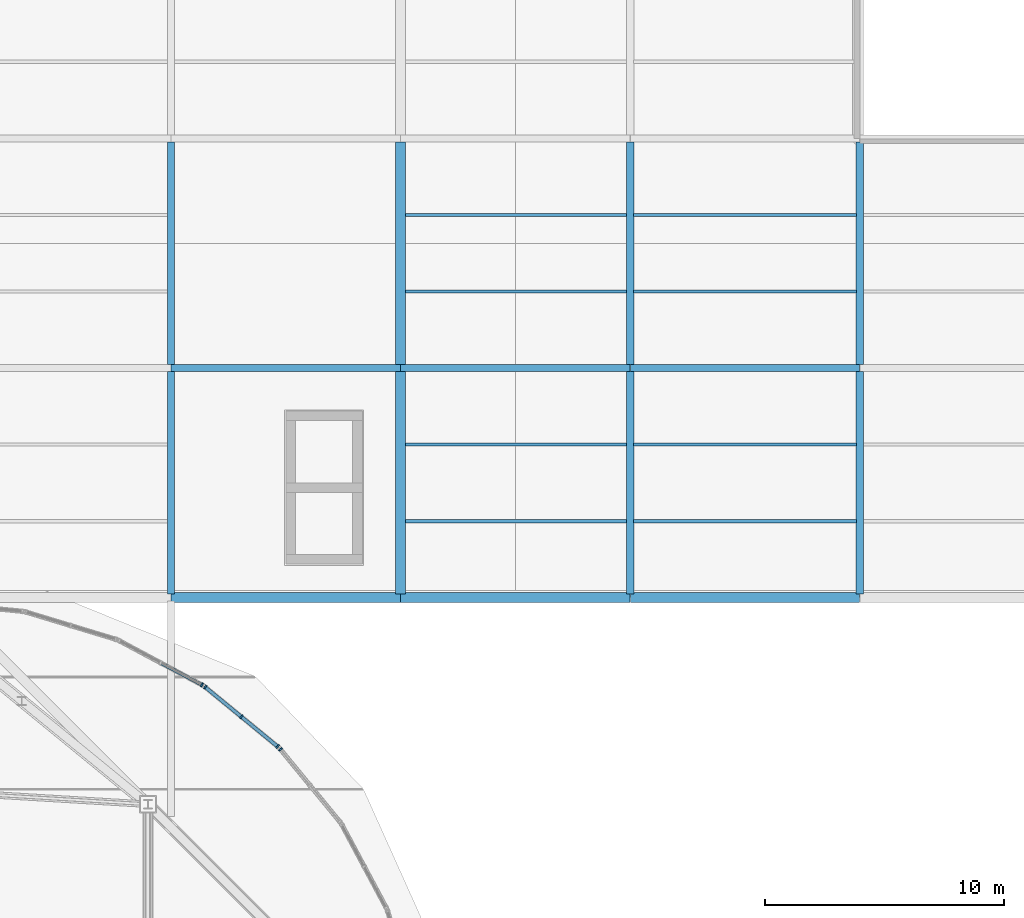
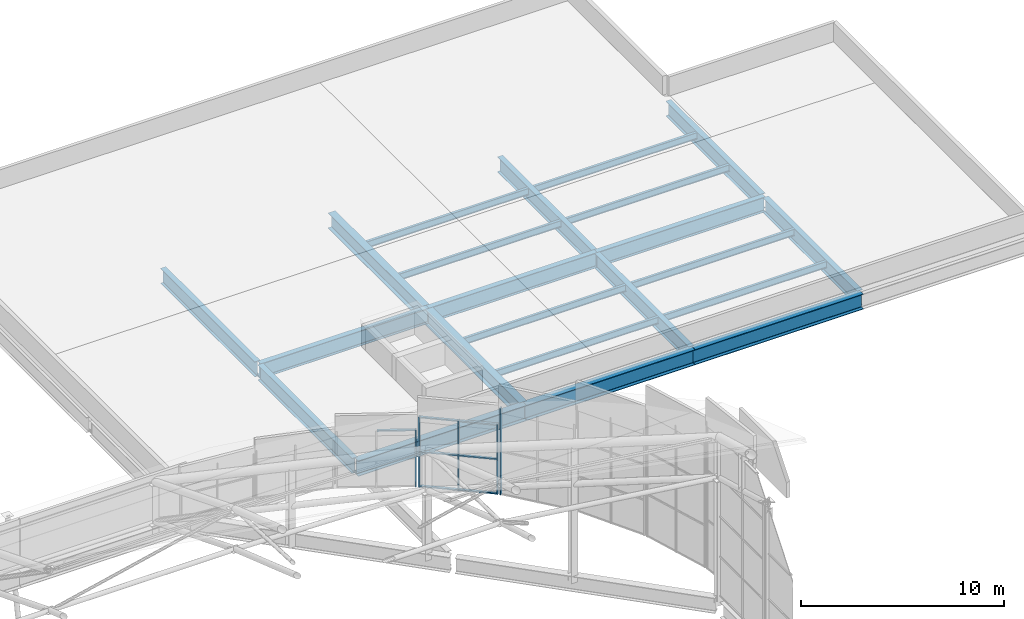
# One storey, part 30 of 42: 22 beams, 12 members, 3 elements without a shape of their own.
"""IFC4 building model written with IfcOpenShell, lengths in metres."""

from ifc_helpers import new_model, si_unit, direction, frame, origin, origin_2d, place, context, subcontext, project, spatial, rectangle, i_section, extrude, material, layer, layer_set, material_profile, profile_set, type_object, element, aggregate, save


model = new_model("IFC4")

# Units and contexts
model_context = context("Model", 3, precision=1e-05, world=origin(), true_north=direction((0.0, 1.0)))
body_context = subcontext(model_context, "Body", "Model", "MODEL_VIEW")
ifc_project = project(units=[si_unit("LENGTHUNIT", "METRE"), si_unit("AREAUNIT", "SQUARE_METRE"), si_unit("VOLUMEUNIT", "CUBIC_METRE"), si_unit("PLANEANGLEUNIT", "RADIAN"), si_unit("MASSUNIT", "GRAM", prefix="KILO")], contexts=[model_context])

# Site, building, storey
site_placement = place(None, origin())
site = spatial("IfcSite", under=ifc_project, at=site_placement, CompositionType="ELEMENT")
building_placement = place(site_placement, origin())
building = spatial("IfcBuilding", under=site, at=building_placement, Name="Caelomonte Colonnade Arena", CompositionType="ELEMENT")
storey_placement = place(building_placement, frame((0.0, 0.0, 28.199951171875)))
storey = spatial("IfcBuildingStorey", under=building, at=storey_placement, Name="RF", CompositionType="ELEMENT", Elevation=28.199951171875)

# Curtain wall, member
ifc_material_1 = material(Name="Bronze anodised aluminium and low-E glazing", Category="aluminium")
ifc_layer_1 = layer(ifc_material_1, 0.179931640625)
ifc_layer_set_1 = layer_set([ifc_layer_1], Name="Bronze anodised aluminium and low-E glazing")
curtain_wall_type_1 = type_object("IfcCurtainWallType", Name="ENV-CW-CW-TYMPC-04-52", PredefinedType="USERDEFINED", material=ifc_layer_set_1)
curtain_wall_1_placement = place(storey_placement, origin())
curtain_wall_1 = element("IfcCurtainWall", 1, at=curtain_wall_1_placement, inside=storey, type_object=curtain_wall_type_1, Name="Barrel arch rounded corner clerestory curtain wall 12", ObjectType="UNITIZED CURTAIN WALL", PredefinedType="USERDEFINED")
ifc_material_2 = material(Name="Bronze anodised aluminium AA6063-T6", Category="aluminium")
ifc_material_profile_1 = material_profile(ifc_material_2, rectangle(XDim=0.070068359375, YDim=0.179931640625, at=origin_2d()), Name="CWM-70X180")
ifc_profile_set_1 = profile_set([ifc_material_profile_1], Name="Bronze anodised aluminium AA6063-T6")
member_type_1 = type_object("IfcMemberType", Name="ENV-CW-MULL1", PredefinedType="MULLION", material=ifc_profile_set_1)
member_1_placement = place(storey_placement, frame((158.176025390625, 108.856201171875, -0.14990234375), z_axis=(0.0, 0.0, 1.0), x_axis=(-0.634405129694, 0.773000731835, 0.0)))
member_1 = element("IfcMember", 2, at=member_1_placement, type_object=member_type_1, Name="CW-TYMPC-04-52 mullion 3", PredefinedType="MULLION", context=body_context, shape_type="SweptSolid", body=[
    extrude(rectangle(XDim=0.070068359375, YDim=0.179931640625, at=origin_2d()), origin(), (0.0, 0.0, 1.0), 5.236083984375),
])
aggregate(curtain_wall_1, [member_1])

# Curtain wall, members
ifc_layer_2 = layer(ifc_material_1, 0.179931640625)
ifc_layer_set_2 = layer_set([ifc_layer_2], Name="Bronze anodised aluminium and low-E glazing")
curtain_wall_type_2 = type_object("IfcCurtainWallType", Name="ENV-CW-CW-TYMPC-04-42", PredefinedType="USERDEFINED", material=ifc_layer_set_2)
curtain_wall_2_placement = place(storey_placement, origin())
curtain_wall_2 = element("IfcCurtainWall", 3, at=curtain_wall_2_placement, inside=storey, type_object=curtain_wall_type_2, Name="Barrel arch rounded corner clerestory curtain wall 13", ObjectType="UNITIZED CURTAIN WALL", PredefinedType="USERDEFINED")
member_2_placement = place(storey_placement, frame((158.05615234375, 108.975830078125, -0.14990234375), z_axis=(0.0, 0.0, 1.0), x_axis=(-0.773000731835, 0.634405129694, 0.0)))
member_2 = element("IfcMember", 4, at=member_2_placement, type_object=member_type_1, Name="CW-TYMPC-04-42 mullion 1", PredefinedType="MULLION", context=body_context, shape_type="SweptSolid", body=[
    extrude(rectangle(XDim=0.070068359375, YDim=0.179931640625, at=origin_2d()), origin(), (0.0, 0.0, 1.0), 4.222412109375),
])
member_3_placement = place(storey_placement, frame((156.54443359375, 110.216552734375, -0.14990234375), z_axis=(0.0, 0.0, 1.0), x_axis=(-0.773000731835, 0.634405129694, 0.0)))
member_3 = element("IfcMember", 5, at=member_3_placement, type_object=member_type_1, Name="CW-TYMPC-04-42 mullion 2", PredefinedType="MULLION", context=body_context, shape_type="SweptSolid", body=[
    extrude(rectangle(XDim=0.070068359375, YDim=0.179931640625, at=origin_2d()), origin(), (0.0, 0.0, 1.0), 4.222412109375),
])
member_4_placement = place(storey_placement, frame((155.03271484375, 111.457275390625, -0.14990234375), z_axis=(0.0, 0.0, 1.0), x_axis=(-0.773000731835, 0.634405129694, 0.0)))
member_4 = element("IfcMember", 6, at=member_4_placement, type_object=member_type_1, Name="CW-TYMPC-04-42 mullion 3", PredefinedType="MULLION", context=body_context, shape_type="SweptSolid", body=[
    extrude(rectangle(XDim=0.070068359375, YDim=0.179931640625, at=origin_2d()), origin(), (0.0, 0.0, 1.0), 4.222412109375),
])

# Curtain wall, member
ifc_layer_3 = layer(ifc_material_1, 0.179931640625)
ifc_layer_set_3 = layer_set([ifc_layer_3], Name="Bronze anodised aluminium and low-E glazing")
curtain_wall_type_3 = type_object("IfcCurtainWallType", Name="ENV-CW-CW-TYMPC-03-34", PredefinedType="USERDEFINED", material=ifc_layer_set_3)
curtain_wall_3_placement = place(storey_placement, origin())
curtain_wall_3 = element("IfcCurtainWall", 7, at=curtain_wall_3_placement, inside=storey, type_object=curtain_wall_type_3, Name="Barrel arch rounded corner clerestory curtain wall 14", ObjectType="UNITIZED CURTAIN WALL", PredefinedType="USERDEFINED")
member_5_placement = place(storey_placement, frame((154.89208984375, 111.55126953125, -0.14990234375), z_axis=(0.0, 0.0, 1.0), x_axis=(-0.881924283795, 0.471391087795, 0.0)))
member_5 = element("IfcMember", 8, at=member_5_placement, type_object=member_type_1, Name="CW-TYMPC-03-34 mullion 1", PredefinedType="MULLION", context=body_context, shape_type="SweptSolid", body=[
    extrude(rectangle(XDim=0.070068359375, YDim=0.179931640625, at=origin_2d()), origin(), (0.0, 0.0, 1.0), 3.43994140625),
])

# Member
ifc_material_profile_2 = material_profile(ifc_material_2, rectangle(XDim=0.070068359375, YDim=0.139892578125, at=origin_2d()), Name="CWT-70X140")
ifc_profile_set_2 = profile_set([ifc_material_profile_2], Name="Bronze anodised aluminium AA6063-T6")
member_type_2 = type_object("IfcMemberType", Name="ENV-CW-TRAN1", PredefinedType="USERDEFINED", material=ifc_profile_set_2)
member_6_placement = place(storey_placement, frame((158.029296875, 108.998046875, -0.114990234375), z_axis=(-0.773027789123, 0.63437215989, 0.0), x_axis=(0.0, 0.0, 1.0)))
member_6 = element("IfcMember", 9, at=member_6_placement, type_object=member_type_2, Name="CW-TYMPC-04-42 transom 1.1", ObjectType="TRANSOM", PredefinedType="USERDEFINED", context=body_context, shape_type="SweptSolid", body=[
    extrude(rectangle(XDim=0.070068359375, YDim=0.139892578125, at=origin_2d()), origin(), (0.0, 0.0, 1.0), 1.8857421875),
])

member_7_placement = place(storey_placement, frame((158.029296875, 108.998046875, 1.96142578125), z_axis=(-0.773027789123, 0.63437215989, 0.0), x_axis=(0.0, 0.0, 1.0)))
member_7 = element("IfcMember", 10, at=member_7_placement, type_object=member_type_2, Name="CW-TYMPC-04-42 transom 1.2", ObjectType="TRANSOM", PredefinedType="USERDEFINED", context=body_context, shape_type="SweptSolid", body=[
    extrude(rectangle(XDim=0.070068359375, YDim=0.139892578125, at=origin_2d()), origin(), (0.0, 0.0, 1.0), 1.8857421875),
])

member_8_placement = place(storey_placement, frame((158.029296875, 108.998046875, 4.03759765625), z_axis=(-0.773027789123, 0.63437215989, 0.0), x_axis=(0.0, 0.0, 1.0)))
member_8 = element("IfcMember", 11, at=member_8_placement, type_object=member_type_2, Name="CW-TYMPC-04-42 transom 1.3", ObjectType="TRANSOM", PredefinedType="USERDEFINED", context=body_context, shape_type="SweptSolid", body=[
    extrude(rectangle(XDim=0.070068359375, YDim=0.139892578125, at=origin_2d()), origin(), (0.0, 0.0, 1.0), 1.8857421875),
])

member_9_placement = place(storey_placement, frame((156.517333984375, 110.23876953125, -0.114990234375), z_axis=(-0.772975681476, 0.634435651463, 0.0), x_axis=(0.0, 0.0, 1.0)))
member_9 = element("IfcMember", 12, at=member_9_placement, type_object=member_type_2, Name="CW-TYMPC-04-42 transom 2.1", ObjectType="TRANSOM", PredefinedType="USERDEFINED", context=body_context, shape_type="SweptSolid", body=[
    extrude(rectangle(XDim=0.070068359375, YDim=0.139892578125, at=origin_2d()), origin(), (0.0, 0.0, 1.0), 1.885498046875),
])

member_10_placement = place(storey_placement, frame((156.517333984375, 110.23876953125, 1.96142578125), z_axis=(-0.772975681476, 0.634435651463, 0.0), x_axis=(0.0, 0.0, 1.0)))
member_10 = element("IfcMember", 13, at=member_10_placement, type_object=member_type_2, Name="CW-TYMPC-04-42 transom 2.2", ObjectType="TRANSOM", PredefinedType="USERDEFINED", context=body_context, shape_type="SweptSolid", body=[
    extrude(rectangle(XDim=0.070068359375, YDim=0.139892578125, at=origin_2d()), origin(), (0.0, 0.0, 1.0), 1.885498046875),
])

member_11_placement = place(storey_placement, frame((156.517333984375, 110.23876953125, 4.03759765625), z_axis=(-0.772975681476, 0.634435651463, 0.0), x_axis=(0.0, 0.0, 1.0)))
member_11 = element("IfcMember", 14, at=member_11_placement, type_object=member_type_2, Name="CW-TYMPC-04-42 transom 2.3", ObjectType="TRANSOM", PredefinedType="USERDEFINED", context=body_context, shape_type="SweptSolid", body=[
    extrude(rectangle(XDim=0.070068359375, YDim=0.139892578125, at=origin_2d()), origin(), (0.0, 0.0, 1.0), 1.885498046875),
])

aggregate(curtain_wall_2, [member_2, member_3, member_4, member_6, member_7, member_8, member_9, member_10, member_11])

member_12_placement = place(storey_placement, frame((154.861083984375, 111.56787109375, 3.2548828125), z_axis=(-0.881926100802, 0.471387688347, 0.0), x_axis=(0.0, 0.0, 1.0)))
member_12 = element("IfcMember", 15, at=member_12_placement, type_object=member_type_2, Name="CW-TYMPC-03-34 transom 1.3", ObjectType="TRANSOM", PredefinedType="USERDEFINED", context=body_context, shape_type="SweptSolid", body=[
    extrude(rectangle(XDim=0.070068359375, YDim=0.139892578125, at=origin_2d()), origin(), (0.0, 0.0, 1.0), 1.8857421875),
])

aggregate(curtain_wall_3, [member_5, member_12])

# Beams
ifc_material_3 = material(Name="Wide-flange steel ASTM A992 Grade 50", Category="steel")
ifc_material_profile_3 = material_profile(ifc_material_3, i_section(OverallWidth=0.418212890625, OverallDepth=0.927001953125, WebThickness=0.019287109375, FlangeThickness=0.031982421875, FilletRadius=0.024169921875, at=origin_2d()), Name="W36X231")
ifc_profile_set_3 = profile_set([ifc_material_profile_3], Name="Wide-flange steel ASTM A992 Grade 50")
beam_type_1 = type_object("IfcBeamType", Name="STR-BM-EAVES1", PredefinedType="SPANDREL", material=ifc_profile_set_3)
beam_1_placement = place(storey_placement, frame((153.60498046875, 115.199951171875, -0.743408203125), z_axis=(1.0, 0.0, 0.0), x_axis=(0.0, 1.0, 0.0)))
element("IfcBeam", 16, at=beam_1_placement, inside=storey, type_object=beam_type_1, Name="RF girder BMX-RF-1536-1152", PredefinedType="SPANDREL", context=body_context, shape_type="SweptSolid", body=[
    extrude(i_section(OverallWidth=0.418212890625, OverallDepth=0.927001953125, WebThickness=0.019287109375, FlangeThickness=0.031982421875, FilletRadius=0.024169921875, at=origin_2d()), origin(), (0.0, 0.0, 1.0), 9.590087890625),
])
beam_2_placement = place(storey_placement, frame((163.204833984375, 115.199951171875, -0.743408203125), z_axis=(1.0, 0.0, 0.0), x_axis=(0.0, 1.0, 0.0)))
element("IfcBeam", 17, at=beam_2_placement, inside=storey, type_object=beam_type_1, Name="RF girder BMX-RF-1632-1152", PredefinedType="SPANDREL", context=body_context, shape_type="SweptSolid", body=[
    extrude(i_section(OverallWidth=0.418212890625, OverallDepth=0.927001953125, WebThickness=0.019287109375, FlangeThickness=0.031982421875, FilletRadius=0.024169921875, at=origin_2d()), origin(), (0.0, 0.0, 1.0), 9.59033203125),
])
beam_3_placement = place(storey_placement, frame((172.804931640625, 115.199951171875, -0.743408203125), z_axis=(1.0, 0.0, 0.0), x_axis=(0.0, 1.0, 0.0)))
element("IfcBeam", 18, at=beam_3_placement, inside=storey, type_object=beam_type_1, Name="RF girder BMX-RF-1728-1152", PredefinedType="SPANDREL", context=body_context, shape_type="SweptSolid", body=[
    extrude(i_section(OverallWidth=0.418212890625, OverallDepth=0.927001953125, WebThickness=0.019287109375, FlangeThickness=0.031982421875, FilletRadius=0.024169921875, at=origin_2d()), origin(), (0.0, 0.0, 1.0), 9.590087890625),
])
beam_4_placement = place(storey_placement, frame((163.199951171875, 115.345947265625, -0.743408203125), z_axis=(0.0, 1.0, 0.0), x_axis=(-1.0, 0.0, 0.0)))
element("IfcBeam", 19, at=beam_4_placement, inside=storey, type_object=beam_type_1, Name="RF girder BMY-RF-1632-1152", PredefinedType="SPANDREL", context=body_context, shape_type="SweptSolid", body=[
    extrude(i_section(OverallWidth=0.418212890625, OverallDepth=0.927001953125, WebThickness=0.019287109375, FlangeThickness=0.031982421875, FilletRadius=0.024169921875, at=origin_2d()), origin(), (0.0, 0.0, 1.0), 9.30810546875),
])
beam_5_placement = place(storey_placement, frame((163.199951171875, 124.94580078125, -0.743408203125), z_axis=(0.0, 1.0, 0.0), x_axis=(-1.0, 0.0, 0.0)))
element("IfcBeam", 20, at=beam_5_placement, inside=storey, type_object=beam_type_1, Name="RF girder BMY-RF-1632-1248", PredefinedType="SPANDREL", context=body_context, shape_type="SweptSolid", body=[
    extrude(i_section(OverallWidth=0.418212890625, OverallDepth=0.927001953125, WebThickness=0.019287109375, FlangeThickness=0.031982421875, FilletRadius=0.024169921875, at=origin_2d()), origin(), (0.0, 0.0, 1.0), 9.308349609375),
])
ifc_material_profile_4 = material_profile(ifc_material_3, i_section(OverallWidth=0.3046875, OverallDepth=0.914306640625, WebThickness=0.0166015625, FlangeThickness=0.02587890625, FilletRadius=0.020263671875, at=origin_2d()), Name="W36X160")
ifc_profile_set_4 = profile_set([ifc_material_profile_4], Name="Wide-flange steel ASTM A992 Grade 50")
beam_type_2 = type_object("IfcBeamType", Name="STR-BM-EAVES3", PredefinedType="SPANDREL", material=ifc_profile_set_4)
beam_6_placement = place(storey_placement, frame((153.60498046875, 124.800048828125, -0.737060546875), z_axis=(1.0, 0.0, 0.0), x_axis=(0.0, 1.0, 0.0)))
element("IfcBeam", 21, at=beam_6_placement, inside=storey, type_object=beam_type_2, Name="RF girder BMX-RF-1536-1248", PredefinedType="SPANDREL", context=body_context, shape_type="SweptSolid", body=[
    extrude(i_section(OverallWidth=0.3046875, OverallDepth=0.914306640625, WebThickness=0.0166015625, FlangeThickness=0.02587890625, FilletRadius=0.020263671875, at=origin_2d()), origin(), (0.0, 0.0, 1.0), 9.590087890625),
])
beam_7_placement = place(storey_placement, frame((163.204833984375, 124.800048828125, -0.737060546875), z_axis=(1.0, 0.0, 0.0), x_axis=(0.0, 1.0, 0.0)))
element("IfcBeam", 22, at=beam_7_placement, inside=storey, type_object=beam_type_2, Name="RF girder BMX-RF-1632-1248", PredefinedType="SPANDREL", context=body_context, shape_type="SweptSolid", body=[
    extrude(i_section(OverallWidth=0.3046875, OverallDepth=0.914306640625, WebThickness=0.0166015625, FlangeThickness=0.02587890625, FilletRadius=0.020263671875, at=origin_2d()), origin(), (0.0, 0.0, 1.0), 9.59033203125),
])
beam_8_placement = place(storey_placement, frame((172.804931640625, 124.800048828125, -0.737060546875), z_axis=(1.0, 0.0, 0.0), x_axis=(0.0, 1.0, 0.0)))
element("IfcBeam", 23, at=beam_8_placement, inside=storey, type_object=beam_type_2, Name="RF girder BMX-RF-1728-1248", PredefinedType="SPANDREL", context=body_context, shape_type="SweptSolid", body=[
    extrude(i_section(OverallWidth=0.3046875, OverallDepth=0.914306640625, WebThickness=0.0166015625, FlangeThickness=0.02587890625, FilletRadius=0.020263671875, at=origin_2d()), origin(), (0.0, 0.0, 1.0), 9.590087890625),
])
beam_9_placement = place(storey_placement, frame((153.60009765625, 115.345947265625, -0.737060546875), z_axis=(0.0, 1.0, 0.0), x_axis=(-1.0, 0.0, 0.0)))
element("IfcBeam", 24, at=beam_9_placement, inside=storey, type_object=beam_type_2, Name="RF girder BMY-RF-1536-1152", PredefinedType="SPANDREL", context=body_context, shape_type="SweptSolid", body=[
    extrude(i_section(OverallWidth=0.3046875, OverallDepth=0.914306640625, WebThickness=0.0166015625, FlangeThickness=0.02587890625, FilletRadius=0.020263671875, at=origin_2d()), origin(), (0.0, 0.0, 1.0), 9.30810546875),
])
beam_10_placement = place(storey_placement, frame((153.60009765625, 124.94580078125, -0.737060546875), z_axis=(0.0, 1.0, 0.0), x_axis=(-1.0, 0.0, 0.0)))
element("IfcBeam", 25, at=beam_10_placement, inside=storey, type_object=beam_type_2, Name="RF girder BMY-RF-1536-1248", PredefinedType="SPANDREL", context=body_context, shape_type="SweptSolid", body=[
    extrude(i_section(OverallWidth=0.3046875, OverallDepth=0.914306640625, WebThickness=0.0166015625, FlangeThickness=0.02587890625, FilletRadius=0.020263671875, at=origin_2d()), origin(), (0.0, 0.0, 1.0), 9.308349609375),
])
beam_11_placement = place(storey_placement, frame((172.800048828125, 115.345947265625, -0.737060546875), z_axis=(0.0, 1.0, 0.0), x_axis=(-1.0, 0.0, 0.0)))
element("IfcBeam", 26, at=beam_11_placement, inside=storey, type_object=beam_type_2, Name="RF girder BMY-RF-1728-1152", PredefinedType="SPANDREL", context=body_context, shape_type="SweptSolid", body=[
    extrude(i_section(OverallWidth=0.3046875, OverallDepth=0.914306640625, WebThickness=0.0166015625, FlangeThickness=0.02587890625, FilletRadius=0.020263671875, at=origin_2d()), origin(), (0.0, 0.0, 1.0), 9.30810546875),
])
beam_12_placement = place(storey_placement, frame((172.800048828125, 124.94580078125, -0.737060546875), z_axis=(0.0, 1.0, 0.0), x_axis=(-1.0, 0.0, 0.0)))
element("IfcBeam", 27, at=beam_12_placement, inside=storey, type_object=beam_type_2, Name="RF girder BMY-RF-1728-1248", PredefinedType="SPANDREL", context=body_context, shape_type="SweptSolid", body=[
    extrude(i_section(OverallWidth=0.3046875, OverallDepth=0.914306640625, WebThickness=0.0166015625, FlangeThickness=0.02587890625, FilletRadius=0.020263671875, at=origin_2d()), origin(), (0.0, 0.0, 1.0), 9.308349609375),
])
beam_13_placement = place(storey_placement, frame((182.39990234375, 115.345947265625, -0.737060546875), z_axis=(0.0, 1.0, 0.0), x_axis=(-1.0, 0.0, 0.0)))
element("IfcBeam", 28, at=beam_13_placement, inside=storey, type_object=beam_type_2, Name="RF girder BMY-RF-1824-1152", PredefinedType="SPANDREL", context=body_context, shape_type="SweptSolid", body=[
    extrude(i_section(OverallWidth=0.3046875, OverallDepth=0.914306640625, WebThickness=0.0166015625, FlangeThickness=0.02587890625, FilletRadius=0.020263671875, at=origin_2d()), origin(), (0.0, 0.0, 1.0), 9.30810546875),
])
beam_14_placement = place(storey_placement, frame((182.39990234375, 124.94580078125, -0.737060546875), z_axis=(0.0, 1.0, 0.0), x_axis=(-1.0, 0.0, 0.0)))
element("IfcBeam", 29, at=beam_14_placement, inside=storey, type_object=beam_type_2, Name="RF girder BMY-RF-1824-1248", PredefinedType="SPANDREL", context=body_context, shape_type="SweptSolid", body=[
    extrude(i_section(OverallWidth=0.3046875, OverallDepth=0.914306640625, WebThickness=0.0166015625, FlangeThickness=0.02587890625, FilletRadius=0.020263671875, at=origin_2d()), origin(), (0.0, 0.0, 1.0), 9.308349609375),
])
ifc_material_profile_5 = material_profile(ifc_material_3, i_section(OverallWidth=0.140380859375, OverallDepth=0.40380859375, WebThickness=0.007080078125, FlangeThickness=0.01123046875, FilletRadius=0.01025390625, at=origin_2d()), Name="W16X31")
ifc_profile_set_5 = profile_set([ifc_material_profile_5], Name="Wide-flange steel ASTM A992 Grade 50")
beam_type_3 = type_object("IfcBeamType", Name="STR-BM-JOIST16B", PredefinedType="JOIST", material=ifc_profile_set_5)
for number, where, z_axis, x_axis, name in (
    (30, (163.404052734375, 118.39990234375, -0.48193359375), (1.0, 0.0, 0.0), (0.0, 1.0, 0.0), "RF secondary joist 1"),
    (31, (163.404052734375, 121.60009765625, -0.48193359375), (1.0, 0.0, 0.0), (0.0, 1.0, 0.0), "RF secondary joist 2"),
    (32, (163.404052734375, 128.0, -0.48193359375), (1.0, 0.0, 0.0), (0.0, 1.0, 0.0), "RF secondary joist 1"),
    (33, (163.404052734375, 131.199951171875, -0.48193359375), (1.0, 0.0, 0.0), (0.0, 1.0, 0.0), "RF secondary joist 2"),
):
    element("IfcBeam", number, at=place(storey_placement, frame(where, z_axis=z_axis, x_axis=x_axis)), inside=storey, type_object=beam_type_3, Name=name, PredefinedType="JOIST", context=body_context, shape_type="SweptSolid", body=[
        extrude(i_section(OverallWidth=0.140380859375, OverallDepth=0.40380859375, WebThickness=0.007080078125, FlangeThickness=0.01123046875, FilletRadius=0.01025390625, at=origin_2d()), origin(), (0.0, 0.0, 1.0), 9.24853515625),
    ])
for number, where, z_axis, x_axis, name in (
    (34, (172.947509765625, 118.39990234375, -0.48193359375), (1.0, 0.0, 0.0), (0.0, 1.0, 0.0), "RF secondary joist 1"),
    (35, (172.947509765625, 121.60009765625, -0.48193359375), (1.0, 0.0, 0.0), (0.0, 1.0, 0.0), "RF secondary joist 2"),
    (36, (172.947509765625, 128.0, -0.48193359375), (1.0, 0.0, 0.0), (0.0, 1.0, 0.0), "RF secondary joist 1"),
    (37, (172.947509765625, 131.199951171875, -0.48193359375), (1.0, 0.0, 0.0), (0.0, 1.0, 0.0), "RF secondary joist 2"),
):
    element("IfcBeam", number, at=place(storey_placement, frame(where, z_axis=z_axis, x_axis=x_axis)), inside=storey, type_object=beam_type_3, Name=name, PredefinedType="JOIST", context=body_context, shape_type="SweptSolid", body=[
        extrude(i_section(OverallWidth=0.140380859375, OverallDepth=0.40380859375, WebThickness=0.007080078125, FlangeThickness=0.01123046875, FilletRadius=0.01025390625, at=origin_2d()), origin(), (0.0, 0.0, 1.0), 9.30517578125),
    ])

save(model, "model.ifc")
